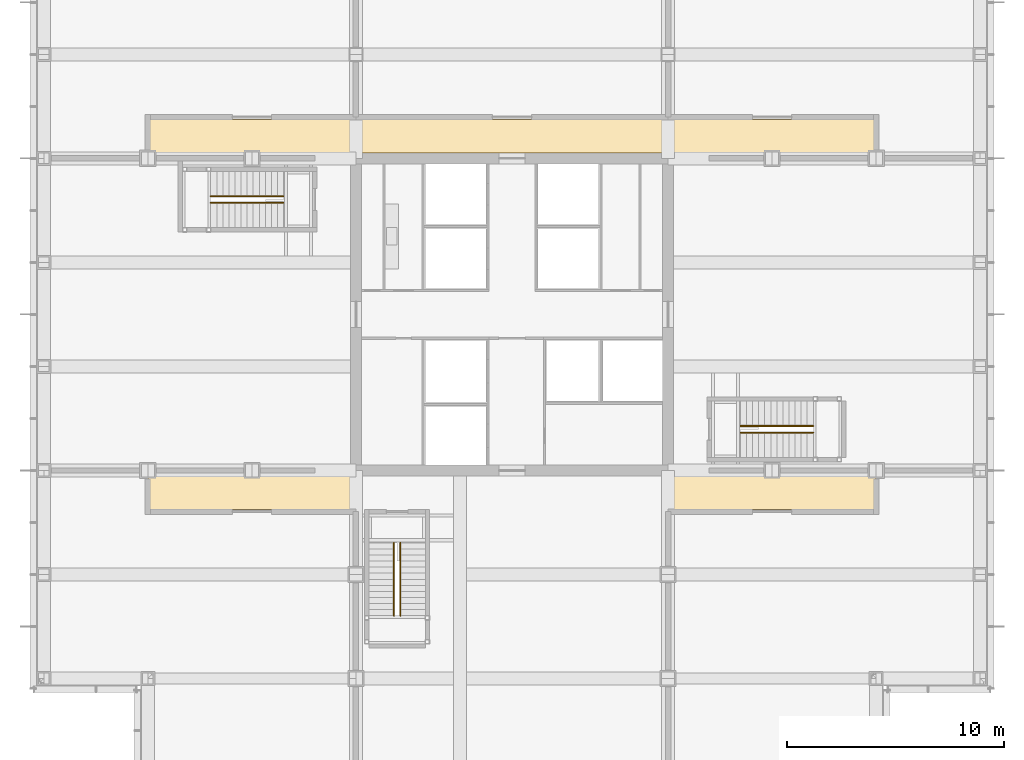
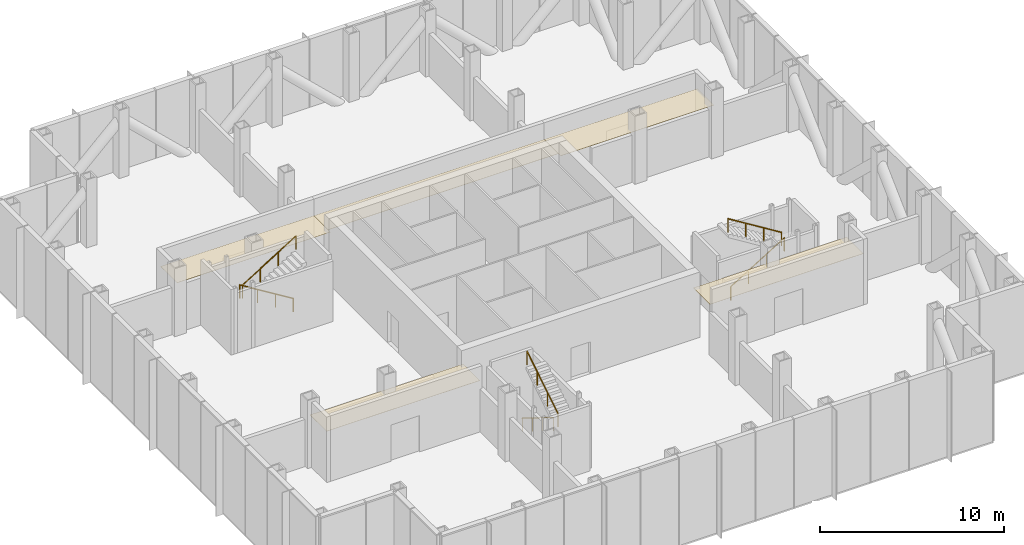
# One storey, part 16 of 18: 6 railings, 5 coverings.
"""IFC4 building model written with IfcOpenShell, lengths in metres."""

from ifc_helpers import new_model, si_unit, direction, frame, origin, origin_2d, place, context, subcontext, project, spatial, polyline, circle, outline, extrude, material, layer, layer_set, type_object, element, save


model = new_model("IFC4")

# Units and contexts
model_context = context("Model", 3, precision=1e-05, world=origin(), true_north=direction((0.0, 1.0)))
body_context = subcontext(model_context, "Body", "Model", "MODEL_VIEW")
ifc_project = project(units=[si_unit("LENGTHUNIT", "METRE"), si_unit("AREAUNIT", "SQUARE_METRE"), si_unit("VOLUMEUNIT", "CUBIC_METRE"), si_unit("PLANEANGLEUNIT", "RADIAN"), si_unit("MASSUNIT", "GRAM", prefix="KILO")], contexts=[model_context])

# Site, building, storey
site_placement = place(None, origin())
site = spatial("IfcSite", under=ifc_project, at=site_placement, CompositionType="ELEMENT")
building_placement = place(site_placement, origin())
building = spatial("IfcBuilding", under=site, at=building_placement, Name="Kvirike Care Tower", CompositionType="ELEMENT")
storey_placement = place(building_placement, frame((0.0, 0.0, 79.5)))
storey = spatial("IfcBuildingStorey", under=building, at=storey_placement, Name="L21", CompositionType="ELEMENT", Elevation=79.5)

# Coverings
ifc_material_1 = material(Name="Perforated metal ceiling tile", Category="aluminium")
ifc_layer = layer(ifc_material_1, 0.014892578125)
ifc_layer_set = layer_set([ifc_layer], Name="CORRIDOR CEILING 15")
covering_type = type_object("IfcCoveringType", Name="CORRIDOR CEILING 15", PredefinedType="CEILING", material=ifc_layer_set)
covering_1_placement = place(storey_placement, frame((0.0, 0.0, 3.199951171875)))
element("IfcCovering", 1, at=covering_1_placement, inside=storey, type_object=covering_type, Name="Corridor ceiling L21", PredefinedType="CEILING", context=body_context, shape_type="SweptSolid", body=[
    extrude(outline(polyline([(4.800048828125, 27.0), (4.800048828125, 28.800048828125), (14.39990234375, 28.800048828125), (14.39990234375, 27.0), (4.800048828125, 27.0)])), origin(), (0.0, 0.0, 1.0), 0.01513671875),
])
covering_2_placement = place(storey_placement, frame((0.0, 0.0, 3.199951171875)))
element("IfcCovering", 2, at=covering_2_placement, inside=storey, type_object=covering_type, Name="Corridor ceiling L21", PredefinedType="CEILING", context=body_context, shape_type="SweptSolid", body=[
    extrude(outline(polyline([(14.39990234375, 45.0), (14.39990234375, 43.199951171875), (4.800048828125, 43.199951171875), (4.800048828125, 45.0), (14.39990234375, 45.0)])), origin(), (0.0, 0.0, 1.0), 0.01513671875),
])
covering_3_placement = place(storey_placement, frame((0.0, 0.0, 3.199951171875)))
element("IfcCovering", 3, at=covering_3_placement, inside=storey, type_object=covering_type, Name="Corridor ceiling L21", PredefinedType="CEILING", context=body_context, shape_type="SweptSolid", body=[
    extrude(outline(polyline([(28.800048828125, 45.0), (28.800048828125, 43.449951171875), (14.39990234375, 43.449951171875), (14.39990234375, 45.0), (28.800048828125, 45.0)])), origin(), (0.0, 0.0, 1.0), 0.01513671875),
])
covering_4_placement = place(storey_placement, frame((0.0, 0.0, 3.199951171875)))
element("IfcCovering", 4, at=covering_4_placement, inside=storey, type_object=covering_type, Name="Corridor ceiling L21", PredefinedType="CEILING", context=body_context, shape_type="SweptSolid", body=[
    extrude(outline(polyline([(28.800048828125, 27.0), (28.800048828125, 28.800048828125), (38.39990234375, 28.800048828125), (38.39990234375, 27.0), (28.800048828125, 27.0)])), origin(), (0.0, 0.0, 1.0), 0.01513671875),
])
covering_5_placement = place(storey_placement, frame((0.0, 0.0, 3.199951171875)))
element("IfcCovering", 5, at=covering_5_placement, inside=storey, type_object=covering_type, Name="Corridor ceiling L21", PredefinedType="CEILING", context=body_context, shape_type="SweptSolid", body=[
    extrude(outline(polyline([(38.39990234375, 45.0), (38.39990234375, 43.199951171875), (28.800048828125, 43.199951171875), (28.800048828125, 45.0), (38.39990234375, 45.0)])), origin(), (0.0, 0.0, 1.0), 0.01513671875),
])

# Railings
ifc_material_2 = material(Name="Stainless steel handrail", Category="steel")
railing_type = type_object("IfcRailingType", Name="STAIR HANDRAIL 900", PredefinedType="HANDRAIL", material=ifc_material_2)
railing_1_placement = place(storey_placement, frame((11.06005859375, 41.449951171875, 0.173095703125)))
element("IfcRailing", 6, at=railing_1_placement, inside=storey, type_object=railing_type, Name="Stair 1 handrail L21 flight 1", PredefinedType="HANDRAIL", context=body_context, shape_type="SweptSolid", body=[
    extrude(circle(Radius=0.02490234375, at=origin_2d()), frame((0.0, 0.0, 0.875), z_axis=(-0.850623216509, 0.0, 0.525775754039), x_axis=(0.0, -1.0, 0.0)), (0.0, 0.0, 1.0), 3.9501953125),
    extrude(circle(Radius=0.02001953125, at=origin_2d()), origin(), (0.0, 0.0, 1.0), 0.849853515625),
    extrude(circle(Radius=0.02001953125, at=origin_2d()), frame((-1.1201171875, 0.0, 0.6923828125)), (0.0, 0.0, 1.0), 0.849853515625),
    extrude(circle(Radius=0.02001953125, at=origin_2d()), frame((-2.239990234375, 0.0, 1.384521484375)), (0.0, 0.0, 1.0), 0.849853515625),
    extrude(circle(Radius=0.02001953125, at=origin_2d()), frame((-3.360107421875, 0.0, 2.076904296875)), (0.0, 0.0, 1.0), 0.849853515625),
])
for number, where, name in (
    (7, (7.699951171875, 41.14990234375, 2.423095703125), "Stair 1 handrail L21 flight 2"),
    (8, (32.139892578125, 30.550048828125, 0.173095703125), "Stair 2 handrail L21 flight 1"),
):
    element("IfcRailing", number, at=place(storey_placement, frame(where)), inside=storey, type_object=railing_type, Name=name, PredefinedType="HANDRAIL", context=body_context, shape_type="SweptSolid", body=[
        extrude(circle(Radius=0.02490234375, at=origin_2d()), frame((0.0, 0.0, 0.875), z_axis=(0.850623216509, 0.0, 0.525775754039), x_axis=(0.0, 1.0, 0.0)), (0.0, 0.0, 1.0), 3.9501953125),
        extrude(circle(Radius=0.02001953125, at=origin_2d()), origin(), (0.0, 0.0, 1.0), 0.849853515625),
        extrude(circle(Radius=0.02001953125, at=origin_2d()), frame((1.1201171875, 0.0, 0.6923828125)), (0.0, 0.0, 1.0), 0.849853515625),
        extrude(circle(Radius=0.02001953125, at=origin_2d()), frame((2.239990234375, 0.0, 1.384521484375)), (0.0, 0.0, 1.0), 0.849853515625),
        extrude(circle(Radius=0.02001953125, at=origin_2d()), frame((3.360107421875, 0.0, 2.076904296875)), (0.0, 0.0, 1.0), 0.849853515625),
    ])
railing_2_placement = place(storey_placement, frame((35.5, 30.85009765625, 2.423095703125)))
element("IfcRailing", 9, at=railing_2_placement, inside=storey, type_object=railing_type, Name="Stair 2 handrail L21 flight 2", PredefinedType="HANDRAIL", context=body_context, shape_type="SweptSolid", body=[
    extrude(circle(Radius=0.02490234375, at=origin_2d()), frame((0.0, 0.0, 0.875), z_axis=(-0.850623216509, 0.0, 0.525775754039), x_axis=(0.0, -1.0, 0.0)), (0.0, 0.0, 1.0), 3.9501953125),
    extrude(circle(Radius=0.02001953125, at=origin_2d()), origin(), (0.0, 0.0, 1.0), 0.849853515625),
    extrude(circle(Radius=0.02001953125, at=origin_2d()), frame((-1.1201171875, 0.0, 0.6923828125)), (0.0, 0.0, 1.0), 0.849853515625),
    extrude(circle(Radius=0.02001953125, at=origin_2d()), frame((-2.239990234375, 0.0, 1.384521484375)), (0.0, 0.0, 1.0), 0.849853515625),
    extrude(circle(Radius=0.02001953125, at=origin_2d()), frame((-3.360107421875, 0.0, 2.076904296875)), (0.0, 0.0, 1.0), 0.849853515625),
])
railing_3_placement = place(storey_placement, frame((16.14990234375, 25.4599609375, 0.173095703125)))
element("IfcRailing", 10, at=railing_3_placement, inside=storey, type_object=railing_type, Name="Stair 5 handrail L21 flight 1", PredefinedType="HANDRAIL", context=body_context, shape_type="SweptSolid", body=[
    extrude(circle(Radius=0.02490234375, at=origin_2d()), frame((0.0, 0.0, 0.875), z_axis=(0.0, -0.850606129759, 0.525803396734), x_axis=(1.0, 0.0, 0.0)), (0.0, 0.0, 1.0), 3.949951171875),
    extrude(circle(Radius=0.02001953125, at=origin_2d()), origin(), (0.0, 0.0, 1.0), 0.849853515625),
    extrude(circle(Radius=0.02001953125, at=origin_2d()), frame((0.0, -1.119873046875, 0.6923828125)), (0.0, 0.0, 1.0), 0.849853515625),
    extrude(circle(Radius=0.02001953125, at=origin_2d()), frame((0.0, -2.239990234375, 1.384521484375)), (0.0, 0.0, 1.0), 0.849853515625),
    extrude(circle(Radius=0.02001953125, at=origin_2d()), frame((0.0, -3.35986328125, 2.076904296875)), (0.0, 0.0, 1.0), 0.849853515625),
])
railing_4_placement = place(storey_placement, frame((16.449951171875, 22.10009765625, 2.423095703125)))
element("IfcRailing", 11, at=railing_4_placement, inside=storey, type_object=railing_type, Name="Stair 5 handrail L21 flight 2", PredefinedType="HANDRAIL", context=body_context, shape_type="SweptSolid", body=[
    extrude(circle(Radius=0.02490234375, at=origin_2d()), frame((0.0, 0.0, 0.875), z_axis=(0.0, 0.850606129759, 0.525803396734), x_axis=(-1.0, 0.0, 0.0)), (0.0, 0.0, 1.0), 3.949951171875),
    extrude(circle(Radius=0.02001953125, at=origin_2d()), origin(), (0.0, 0.0, 1.0), 0.849853515625),
    extrude(circle(Radius=0.02001953125, at=origin_2d()), frame((0.0, 1.119873046875, 0.6923828125)), (0.0, 0.0, 1.0), 0.849853515625),
    extrude(circle(Radius=0.02001953125, at=origin_2d()), frame((0.0, 2.239990234375, 1.384521484375)), (0.0, 0.0, 1.0), 0.849853515625),
    extrude(circle(Radius=0.02001953125, at=origin_2d()), frame((0.0, 3.35986328125, 2.076904296875)), (0.0, 0.0, 1.0), 0.849853515625),
])

save(model, "model.ifc")
